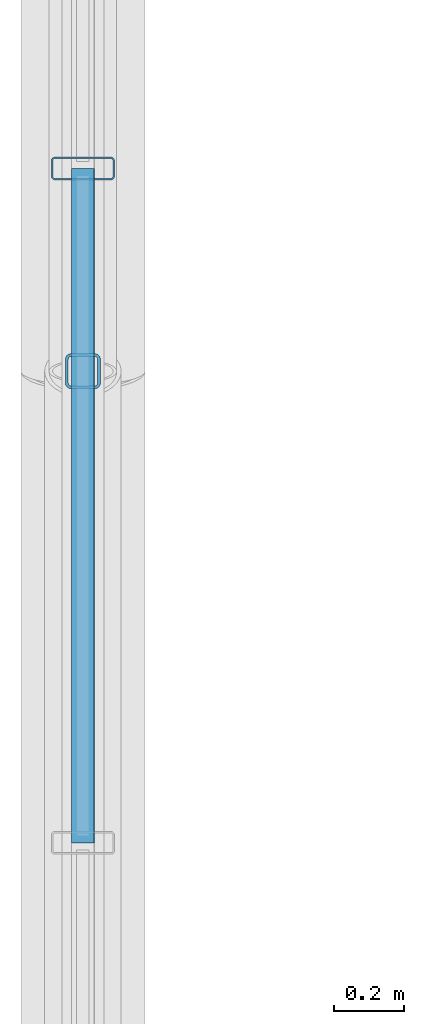
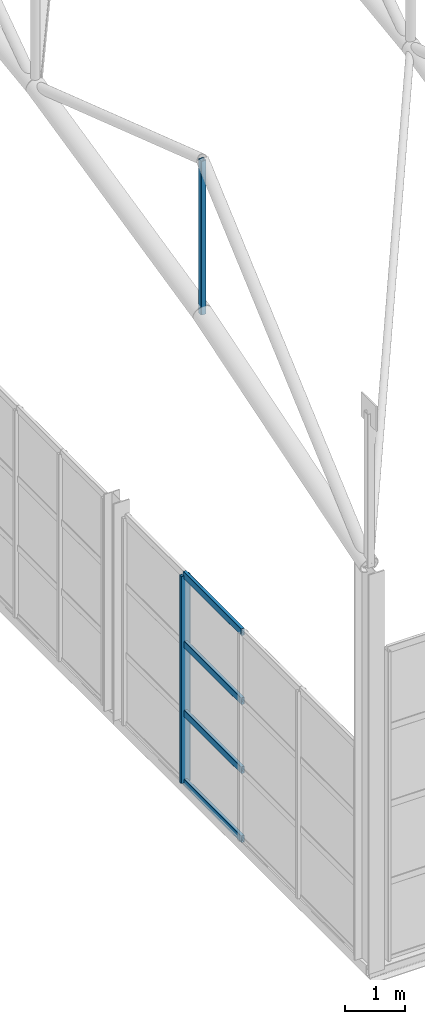
# One storey, part 19 of 153: 6 members, 1 element without a shape of its own.
"""IFC4 building model written with IfcOpenShell, lengths in metres."""

from ifc_helpers import new_model, si_unit, derived_unit, direction, frame, origin, origin_2d, place, context, subcontext, project, spatial, hollow_rectangle, extrude, material, material_profile, profile_set, type_object, element, aggregate, save


model = new_model("IFC4")

# Units and contexts
model_context = context("Model", 3, precision=1e-05, world=origin(), true_north=direction((0.0, 1.0)))
body_context = subcontext(model_context, "Body", "Model", "MODEL_VIEW")
ifc_project = project(units=[si_unit("LENGTHUNIT", "METRE"), si_unit("AREAUNIT", "SQUARE_METRE"), si_unit("VOLUMEUNIT", "CUBIC_METRE"), si_unit("PLANEANGLEUNIT", "RADIAN"), si_unit("MASSUNIT", "GRAM", prefix="KILO"), derived_unit("THERMALTRANSMITTANCEUNIT", [(si_unit("POWERUNIT", "WATT"), 1), (si_unit("LENGTHUNIT", "METRE"), -2), (si_unit("THERMODYNAMICTEMPERATUREUNIT", "KELVIN"), -1)])], contexts=[model_context])

# Site, building, storey
site_placement = place(None, origin())
site = spatial("IfcSite", under=ifc_project, at=site_placement, CompositionType="ELEMENT")
building_placement = place(site_placement, origin())
building = spatial("IfcBuilding", under=site, at=building_placement, Name="Keldorne Ridge Multi-Sports Centre", CompositionType="ELEMENT")
storey_placement = place(building_placement, frame((0.0, 0.0, 9.60009765625)))
storey = spatial("IfcBuildingStorey", under=building, at=storey_placement, Name="L02", CompositionType="ELEMENT", Elevation=9.60009765625)

# Curtain wall, members
ifc_material_1 = material(Name="Anodized aluminium", Category="aluminium")
curtain_wall_type = type_object("IfcCurtainWallType", Name="CW-CW-05", PredefinedType="NOTDEFINED", material=ifc_material_1)
curtain_wall_placement = place(storey_placement, origin())
curtain_wall = element("IfcCurtainWall", 1, at=curtain_wall_placement, inside=storey, type_object=curtain_wall_type, Name="Main Hall west high gable glazing 029", PredefinedType="NOTDEFINED")
ifc_material_profile_1 = material_profile(ifc_material_1, hollow_rectangle(XDim=0.06494140625, YDim=0.179931640625, WallThickness=0.00439453125, InnerFilletRadius=0.00439453125, OuterFilletRadius=0.009033203125, at=origin_2d()), Name="ALU MULLION 180x65x4.5")
ifc_profile_set_1 = profile_set([ifc_material_profile_1], Name="Anodized aluminium")
member_type_1 = type_object("IfcMemberType", Name="MEM-ML-01", PredefinedType="MULLION", material=ifc_profile_set_1)
member_1_placement = place(storey_placement, frame((6.0, 15.72998046875, 0.0), z_axis=(0.0, 0.0, 1.0), x_axis=(0.0, 1.0, 0.0)))
member_1 = element("IfcMember", 2, at=member_1_placement, type_object=member_type_1, Name="CW-029 vertical mullion 2", PredefinedType="MULLION", context=body_context, shape_type="SweptSolid", body=[
    extrude(hollow_rectangle(XDim=0.06494140625, YDim=0.179931640625, WallThickness=0.00439453125, InnerFilletRadius=0.00439453125, OuterFilletRadius=0.009033203125, at=origin_2d()), origin(), (0.0, 0.0, 1.0), 4.199951171875),
])
ifc_material_profile_2 = material_profile(ifc_material_1, hollow_rectangle(XDim=0.06494140625, YDim=0.139892578125, WallThickness=0.00439453125, InnerFilletRadius=0.00439453125, OuterFilletRadius=0.009033203125, at=origin_2d()), Name="ALU TRANSOM 140x65x4.5")
ifc_profile_set_2 = profile_set([ifc_material_profile_2], Name="Anodized aluminium")
member_type_2 = type_object("IfcMemberType", Name="MEM-TR-01", PredefinedType="USERDEFINED", material=ifc_profile_set_2)
member_2_placement = place(storey_placement, frame((6.0, 15.72998046875, 0.0), z_axis=(0.0, -1.0, 0.0), x_axis=(1.0, 0.0, 0.0)))
member_2 = element("IfcMember", 3, at=member_2_placement, type_object=member_type_2, Name="CW-029 transom 2.1", ObjectType="TRANSOM", PredefinedType="USERDEFINED", context=body_context, shape_type="SweptSolid", body=[
    extrude(hollow_rectangle(XDim=0.06494140625, YDim=0.139892578125, WallThickness=0.00439453125, InnerFilletRadius=0.00439453125, OuterFilletRadius=0.009033203125, at=origin_2d()), origin(), (0.0, 0.0, 1.0), 1.929931640625),
])
member_3_placement = place(storey_placement, frame((6.0, 15.72998046875, 1.39990234375), z_axis=(0.0, -1.0, 0.0), x_axis=(1.0, 0.0, 0.0)))
member_3 = element("IfcMember", 4, at=member_3_placement, type_object=member_type_2, Name="CW-029 transom 2.2", ObjectType="TRANSOM", PredefinedType="USERDEFINED", context=body_context, shape_type="SweptSolid", body=[
    extrude(hollow_rectangle(XDim=0.06494140625, YDim=0.139892578125, WallThickness=0.00439453125, InnerFilletRadius=0.00439453125, OuterFilletRadius=0.009033203125, at=origin_2d()), origin(), (0.0, 0.0, 1.0), 1.929931640625),
])
member_4_placement = place(storey_placement, frame((6.0, 15.72998046875, 2.7998046875), z_axis=(0.0, -1.0, 0.0), x_axis=(1.0, 0.0, 0.0)))
member_4 = element("IfcMember", 5, at=member_4_placement, type_object=member_type_2, Name="CW-029 transom 2.3", ObjectType="TRANSOM", PredefinedType="USERDEFINED", context=body_context, shape_type="SweptSolid", body=[
    extrude(hollow_rectangle(XDim=0.06494140625, YDim=0.139892578125, WallThickness=0.00439453125, InnerFilletRadius=0.00439453125, OuterFilletRadius=0.009033203125, at=origin_2d()), origin(), (0.0, 0.0, 1.0), 1.929931640625),
])
member_5_placement = place(storey_placement, frame((6.0, 15.72998046875, 4.199951171875), z_axis=(0.0, -1.0, 0.0), x_axis=(1.0, 0.0, 0.0)))
member_5 = element("IfcMember", 6, at=member_5_placement, type_object=member_type_2, Name="CW-029 transom 2.4", ObjectType="TRANSOM", PredefinedType="USERDEFINED", context=body_context, shape_type="SweptSolid", body=[
    extrude(hollow_rectangle(XDim=0.06494140625, YDim=0.139892578125, WallThickness=0.00439453125, InnerFilletRadius=0.00439453125, OuterFilletRadius=0.009033203125, at=origin_2d()), origin(), (0.0, 0.0, 1.0), 1.929931640625),
])
aggregate(curtain_wall, [member_1, member_2, member_3, member_4, member_5])

# Member
ifc_material_2 = material(Name="Steel S355", Category="steel")
ifc_material_profile_3 = material_profile(ifc_material_2, hollow_rectangle(XDim=0.10009765625, YDim=0.10009765625, WallThickness=0.008056640625, InnerFilletRadius=0.008056640625, OuterFilletRadius=0.01611328125, at=origin_2d()), Name="SHS 100x100x8")
ifc_profile_set_3 = profile_set([ifc_material_profile_3], Name="Steel S355")
member_type_3 = type_object("IfcMemberType", Name="MEM-TV-05", PredefinedType="STRUT", material=ifc_profile_set_3)
member_6_placement = place(storey_placement, frame((6.0, 15.14990234375, 9.849853515625), z_axis=(0.0, 0.0, 1.0), x_axis=(1.0, 0.0, 0.0)))
element("IfcMember", 7, at=member_6_placement, inside=storey, type_object=member_type_3, Name="Main Hall ROOF TRUSS AT-01 vertical 2", PredefinedType="STRUT", context=body_context, shape_type="SweptSolid", body=[
    extrude(hollow_rectangle(XDim=0.10009765625, YDim=0.10009765625, WallThickness=0.008056640625, InnerFilletRadius=0.008056640625, OuterFilletRadius=0.01611328125, at=origin_2d()), origin(), (0.0, 0.0, 1.0), 3.1201171875),
])

save(model, "model.ifc")
